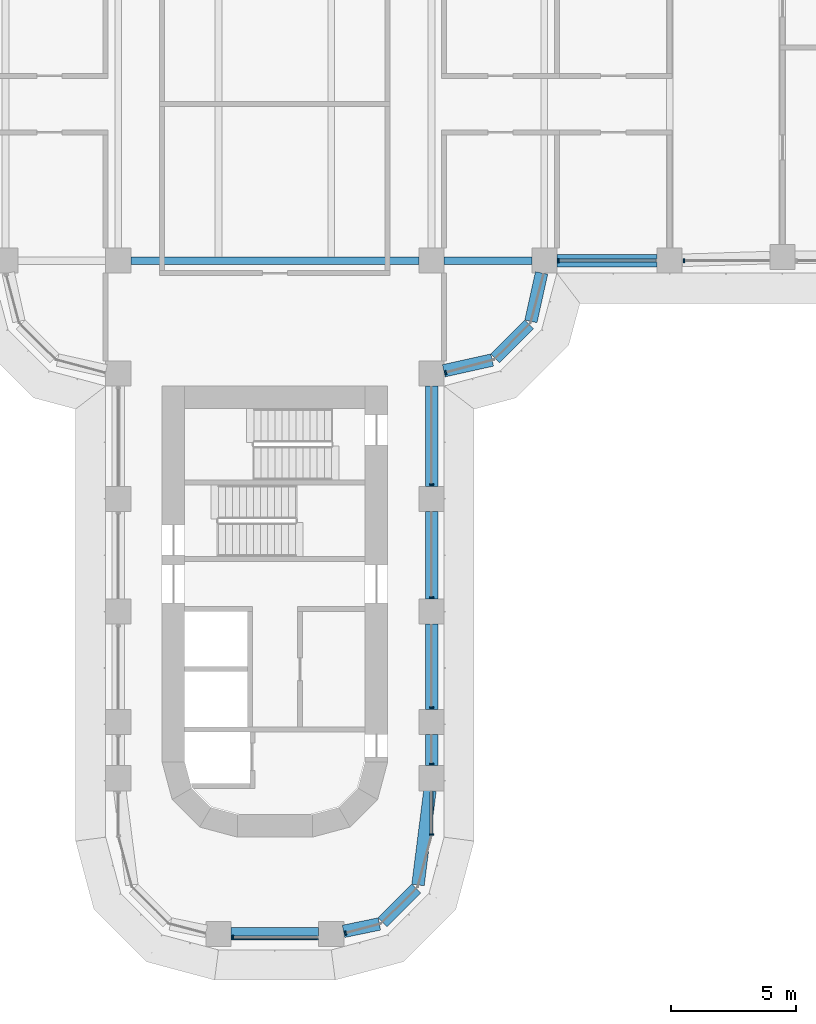
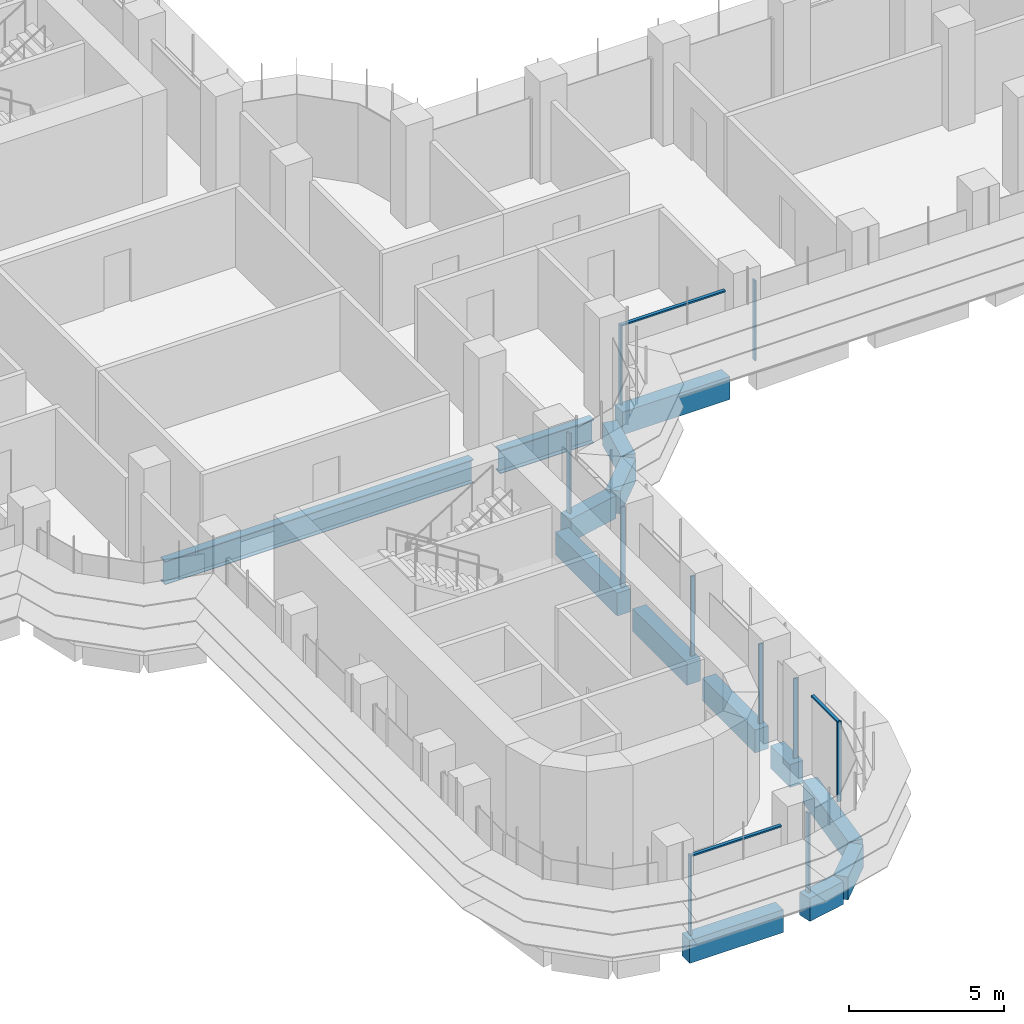
# One storey, part 4 of 23: 14 beams, 13 members, 5 elements without a shape of their own.
"""IFC4 building model written with IfcOpenShell, lengths in metres."""

from ifc_helpers import new_model, si_unit, direction, frame, origin, origin_2d, place, context, subcontext, project, spatial, polyline, rectangle, i_section, outline, extrude, source, transform, mapped, material, material_profile, profile_set, type_object, element, aggregate, save


model = new_model("IFC4")

# Units and contexts
model_context = context("Model", 3, precision=1e-05, world=origin(), true_north=direction((0.0, 1.0)))
body_context = subcontext(model_context, "Body", "Model", "MODEL_VIEW")
ifc_project = project(units=[si_unit("LENGTHUNIT", "METRE"), si_unit("AREAUNIT", "SQUARE_METRE"), si_unit("VOLUMEUNIT", "CUBIC_METRE"), si_unit("PLANEANGLEUNIT", "RADIAN"), si_unit("MASSUNIT", "GRAM", prefix="KILO")], contexts=[model_context])

# Site, building, storey
site_placement = place(None, origin())
site = spatial("IfcSite", under=ifc_project, at=site_placement, CompositionType="ELEMENT")
building_placement = place(site_placement, origin())
building = spatial("IfcBuilding", under=site, at=building_placement, Name="Zarbagh Exchange Tower", CompositionType="ELEMENT")
storey_placement = place(building_placement, frame((0.0, 0.0, 48.0)))
storey = spatial("IfcBuildingStorey", under=building, at=storey_placement, Name="L10", CompositionType="ELEMENT", Elevation=48.0)

# Beams
ifc_material_1 = material(Name="Steel ASTM A992 Gr 50", Category="steel")
ifc_material_profile_1 = material_profile(ifc_material_1, i_section(OverallWidth=0.3046875, OverallDepth=0.91943359375, WebThickness=0.017333984375, FlangeThickness=0.02783203125, at=origin_2d()), Name="W36X170")
ifc_profile_set_1 = profile_set([ifc_material_profile_1], Name="Steel ASTM A992 Gr 50")
beam_type_1 = type_object("IfcBeamType", Name="Floor girder W36X170", PredefinedType="BEAM", material=ifc_profile_set_1)
beam_1_placement = place(storey_placement, frame((-5.75, -6.25, -0.609619140625), z_axis=(1.0, 0.0, 0.0), x_axis=(0.0, 1.0, 0.0)))
element("IfcBeam", 1, at=beam_1_placement, inside=storey, type_object=beam_type_1, Name="Steel girder", PredefinedType="BEAM", context=body_context, shape_type="SweptSolid", body=[
    extrude(i_section(OverallWidth=0.3046875, OverallDepth=0.91943359375, WebThickness=0.017333984375, FlangeThickness=0.02783203125, at=origin_2d()), origin(), (0.0, 0.0, 1.0), 11.5),
])
beam_2_placement = place(storey_placement, frame((6.75, -6.25, -0.609619140625), z_axis=(1.0, 0.0, 0.0), x_axis=(0.0, 1.0, 0.0)))
element("IfcBeam", 2, at=beam_2_placement, inside=storey, type_object=beam_type_1, Name="Steel girder", PredefinedType="BEAM", context=body_context, shape_type="SweptSolid", body=[
    extrude(i_section(OverallWidth=0.3046875, OverallDepth=0.91943359375, WebThickness=0.017333984375, FlangeThickness=0.02783203125, at=origin_2d()), origin(), (0.0, 0.0, 1.0), 3.5),
])
ifc_material_2 = material(Name="Concrete C60/75", Category="concrete")
ifc_material_profile_2 = material_profile(ifc_material_2, rectangle(XDim=0.5, YDim=0.89990234375, at=origin_2d()), Name="RC spandrel beam 500 x 900 C60/75")
ifc_profile_set_2 = profile_set([ifc_material_profile_2], Name="Concrete C60/75")
beam_type_2 = type_object("IfcBeamType", Name="RC spandrel beam 500 x 900 C60/75", PredefinedType="SPANDREL", material=ifc_profile_set_2)
beam_3_placement = place(storey_placement, frame((15.25, -6.25, -0.60009765625), z_axis=(-1.0, 0.0, 0.0), x_axis=(0.0, -1.0, 0.0)))
element("IfcBeam", 3, at=beam_3_placement, inside=storey, type_object=beam_type_2, Name="RC spandrel beam", PredefinedType="SPANDREL", context=body_context, shape_type="SweptSolid", body=[
    extrude(rectangle(XDim=0.5, YDim=0.89990234375, at=origin_2d()), origin(), (0.0, 0.0, 1.0), 4.0),
])
beam_4_placement = place(storey_placement, frame((10.64208984375, -6.73828125, -0.60009765625), z_axis=(-0.216081063242, -0.976375426825, 0.0), x_axis=(0.976375426825, -0.216081063242, 0.0)))
element("IfcBeam", 4, at=beam_4_placement, inside=storey, type_object=beam_type_2, Name="RC spandrel beam", PredefinedType="SPANDREL", context=body_context, shape_type="SweptSolid", body=[
    extrude(rectangle(XDim=0.5, YDim=0.89990234375, at=origin_2d()), origin(), (0.0, 0.0, 1.0), 1.978271484375),
])
beam_5_placement = place(storey_placement, frame((10.147216796875, -8.792724609375, -0.60009765625), z_axis=(-0.707106781187, -0.707106781187, 0.0), x_axis=(0.707106781187, -0.707106781187, 0.0)))
element("IfcBeam", 5, at=beam_5_placement, inside=storey, type_object=beam_type_2, Name="RC spandrel beam", PredefinedType="SPANDREL", context=body_context, shape_type="SweptSolid", body=[
    extrude(rectangle(XDim=0.5, YDim=0.89990234375, at=origin_2d()), origin(), (0.0, 0.0, 1.0), 1.91552734375),
])
beam_6_placement = place(storey_placement, frame((8.669921875, -10.214599609375, -0.60009765625), z_axis=(-0.976375426825, -0.216081063242, 0.0), x_axis=(0.216081063242, -0.976375426825, 0.0)))
element("IfcBeam", 6, at=beam_6_placement, inside=storey, type_object=beam_type_2, Name="RC spandrel beam", PredefinedType="SPANDREL", context=body_context, shape_type="SweptSolid", body=[
    extrude(rectangle(XDim=0.5, YDim=0.89990234375, at=origin_2d()), origin(), (0.0, 0.0, 1.0), 1.978271484375),
])
beam_7_placement = place(storey_placement, frame((6.25, -11.25, -0.60009765625), z_axis=(0.0, -1.0, 0.0), x_axis=(1.0, 0.0, 0.0)))
element("IfcBeam", 7, at=beam_7_placement, inside=storey, type_object=beam_type_2, Name="RC spandrel beam", PredefinedType="SPANDREL", context=body_context, shape_type="SweptSolid", body=[
    extrude(rectangle(XDim=0.5, YDim=0.89990234375, at=origin_2d()), origin(), (0.0, 0.0, 1.0), 4.0),
])
beam_8_placement = place(storey_placement, frame((6.25, -16.25, -0.60009765625), z_axis=(0.0, -1.0, 0.0), x_axis=(1.0, 0.0, 0.0)))
element("IfcBeam", 8, at=beam_8_placement, inside=storey, type_object=beam_type_2, Name="RC spandrel beam", PredefinedType="SPANDREL", context=body_context, shape_type="SweptSolid", body=[
    extrude(rectangle(XDim=0.5, YDim=0.89990234375, at=origin_2d()), origin(), (0.0, 0.0, 1.0), 3.5),
])
beam_9_placement = place(storey_placement, frame((6.25, -20.75, -0.60009765625), z_axis=(0.0, -1.0, 0.0), x_axis=(1.0, 0.0, 0.0)))
element("IfcBeam", 9, at=beam_9_placement, inside=storey, type_object=beam_type_2, Name="RC spandrel beam", PredefinedType="SPANDREL", context=body_context, shape_type="SweptSolid", body=[
    extrude(rectangle(XDim=0.5, YDim=0.89990234375, at=origin_2d()), origin(), (0.0, 0.0, 1.0), 3.39990234375),
])
beam_10_placement = place(storey_placement, frame((6.25, -25.14990234375, -0.60009765625), z_axis=(0.0, -1.0, 0.0), x_axis=(1.0, 0.0, 0.0)))
element("IfcBeam", 10, at=beam_10_placement, inside=storey, type_object=beam_type_2, Name="RC spandrel beam", PredefinedType="SPANDREL", context=body_context, shape_type="SweptSolid", body=[
    extrude(rectangle(XDim=0.5, YDim=0.89990234375, at=origin_2d()), origin(), (0.0, 0.0, 1.0), 1.25),
])
beam_11_placement = place(storey_placement, frame((6.18701171875, -27.39599609375, -0.60009765625), z_axis=(-0.12591317752, -0.992041265133, 0.0), x_axis=(0.992041265133, -0.12591317752, 0.0)))
element("IfcBeam", 11, at=beam_11_placement, inside=storey, type_object=beam_type_2, Name="RC spandrel beam", PredefinedType="SPANDREL", context=body_context, shape_type="SweptSolid", body=[
    extrude(rectangle(XDim=0.5, YDim=0.89990234375, at=origin_2d()), origin(), (0.0, 0.0, 1.0), 3.790771484375),
])
beam_12_placement = place(storey_placement, frame((5.638427734375, -31.301513671875, -0.60009765625), z_axis=(-0.707042571718, -0.707170984825, 0.0), x_axis=(0.707170984825, -0.707042571718, 0.0)))
element("IfcBeam", 12, at=beam_12_placement, inside=storey, type_object=beam_type_2, Name="RC spandrel beam", PredefinedType="SPANDREL", context=body_context, shape_type="SweptSolid", body=[
    extrude(rectangle(XDim=0.5, YDim=0.89990234375, at=origin_2d()), origin(), (0.0, 0.0, 1.0), 1.901123046875),
])
beam_13_placement = place(storey_placement, frame((4.16796875, -32.714111328125, -0.60009765625), z_axis=(-0.9793713725, -0.202068589164, 0.0), x_axis=(0.202068589164, -0.9793713725, 0.0)))
element("IfcBeam", 13, at=beam_13_placement, inside=storey, type_object=beam_type_2, Name="RC spandrel beam", PredefinedType="SPANDREL", context=body_context, shape_type="SweptSolid", body=[
    extrude(rectangle(XDim=0.5, YDim=0.89990234375, at=origin_2d()), origin(), (0.0, 0.0, 1.0), 1.458251953125),
])
beam_14_placement = place(storey_placement, frame((1.75, -33.110107421875, -0.60009765625), z_axis=(-1.0, 0.0, 0.0), x_axis=(0.0, -1.0, 0.0)))
element("IfcBeam", 14, at=beam_14_placement, inside=storey, type_object=beam_type_2, Name="RC spandrel beam", PredefinedType="SPANDREL", context=body_context, shape_type="SweptSolid", body=[
    extrude(rectangle(XDim=0.5, YDim=0.89990234375, at=origin_2d()), origin(), (0.0, 0.0, 1.0), 3.5),
])

# Curtain wall, member
ifc_material_3 = material(Name="Anodised aluminium frame and glazing", Category="aluminium")
curtain_wall_type = type_object("IfcCurtainWallType", Name="CWA Ribbon glazing, lower zones", PredefinedType="NOTDEFINED", material=ifc_material_3)
curtain_wall_1_placement = place(storey_placement, origin())
curtain_wall_1 = element("IfcCurtainWall", 15, at=curtain_wall_1_placement, inside=storey, type_object=curtain_wall_type, Name="CWA01 curtain wall", PredefinedType="NOTDEFINED")
ifc_material_4 = material(Name="Anodised aluminium frame", Category="aluminium")
member_type_1 = type_object("IfcMemberType", Name="MUA Mullion, anodised aluminium frame", PredefinedType="MULLION", material=ifc_material_4)
shared_shape_1 = source(origin(), body_context, "Body", "SweptSolid", [
    extrude(outline(polyline([(0.0, -0.080078125), (0.06005859375, -0.080078125), (0.06005859375, 0.080078125), (0.0, 0.080078125), (0.0, -0.080078125)])), origin(), (0.0, 0.0, 1.0), 3.14990234375),
])
placement = place(storey_placement, origin())
member_1 = element("IfcMember", 16, at=placement, type_object=member_type_1, Name="CWA01 mullion 1.1", PredefinedType="MULLION", context=body_context, shape_type="MappedRepresentation", body=[
    mapped(shared_shape_1, transform((2.7900390625, -33.087646484375, 0.0), x_axis=(0.965924289636, 0.258824779902, 0.0), y_axis=(-0.258824779902, 0.965924289636, 0.0), z_axis=(0.0, 0.0, 1.0))),
])
aggregate(curtain_wall_1, [member_1])

# Curtain wall, members
curtain_wall_2_placement = place(storey_placement, origin())
curtain_wall_2 = element("IfcCurtainWall", 17, at=curtain_wall_2_placement, inside=storey, type_object=curtain_wall_type, Name="CWA04 curtain wall", PredefinedType="NOTDEFINED")
member_2 = element("IfcMember", 18, at=placement, type_object=member_type_1, Name="CWA04 mullion 1.1", PredefinedType="MULLION", context=body_context, shape_type="MappedRepresentation", body=[
    mapped(shared_shape_1, transform((6.25, -29.18408203125, 0.0), x_axis=(0.0, 1.0, 0.0), y_axis=(-1.0, 0.0, 0.0), z_axis=(0.0, 0.0, 1.0))),
])
member_3 = element("IfcMember", 19, at=placement, type_object=member_type_1, Name="CWA04 mullion 2.1", PredefinedType="MULLION", context=body_context, shape_type="MappedRepresentation", body=[
    mapped(shared_shape_1, transform((6.25, -26.35986328125, 0.0), x_axis=(0.0, 1.0, 0.0), y_axis=(-1.0, 0.0, 0.0), z_axis=(0.0, 0.0, 1.0))),
])
member_4 = element("IfcMember", 20, at=placement, type_object=member_type_1, Name="CWA04 mullion 3.1", PredefinedType="MULLION", context=body_context, shape_type="MappedRepresentation", body=[
    mapped(shared_shape_1, transform((6.25, -24.10986328125, 0.0), x_axis=(0.0, 1.0, 0.0), y_axis=(-1.0, 0.0, 0.0), z_axis=(0.0, 0.0, 1.0))),
])
member_5 = element("IfcMember", 21, at=placement, type_object=member_type_1, Name="CWA04 mullion 4.1", PredefinedType="MULLION", context=body_context, shape_type="MappedRepresentation", body=[
    mapped(shared_shape_1, transform((6.25, -19.7099609375, 0.0), x_axis=(0.0, 1.0, 0.0), y_axis=(-1.0, 0.0, 0.0), z_axis=(0.0, 0.0, 1.0))),
])
member_6 = element("IfcMember", 22, at=placement, type_object=member_type_1, Name="CWA04 mullion 5.1", PredefinedType="MULLION", context=body_context, shape_type="MappedRepresentation", body=[
    mapped(shared_shape_1, transform((6.25, -15.2099609375, 0.0), x_axis=(0.0, 1.0, 0.0), y_axis=(-1.0, 0.0, 0.0), z_axis=(0.0, 0.0, 1.0))),
])

# Curtain wall, member
curtain_wall_3_placement = place(storey_placement, origin())
curtain_wall_3 = element("IfcCurtainWall", 23, at=curtain_wall_3_placement, inside=storey, type_object=curtain_wall_type, Name="CWA05 curtain wall", PredefinedType="NOTDEFINED")
member_7 = element("IfcMember", 24, at=placement, type_object=member_type_1, Name="CWA05 mullion 1.1", PredefinedType="MULLION", context=body_context, shape_type="MappedRepresentation", body=[
    mapped(shared_shape_1, transform((6.7900390625, -10.7216796875, 0.0), x_axis=(0.965924289636, 0.258824779902, 0.0), y_axis=(-0.258824779902, 0.965924289636, 0.0), z_axis=(0.0, 0.0, 1.0))),
])
aggregate(curtain_wall_3, [member_7])

# Curtain wall, members
curtain_wall_4_placement = place(storey_placement, origin())
curtain_wall_4 = element("IfcCurtainWall", 25, at=curtain_wall_4_placement, inside=storey, type_object=curtain_wall_type, Name="CWA08 curtain wall", PredefinedType="NOTDEFINED")
member_8 = element("IfcMember", 26, at=placement, type_object=member_type_1, Name="CWA08 mullion 1.1", PredefinedType="MULLION", context=body_context, shape_type="MappedRepresentation", body=[
    mapped(shared_shape_1, transform((11.2900390625, -6.25, 0.0), x_axis=(1.0, 0.0, 0.0), y_axis=(0.0, 1.0, 0.0), z_axis=(0.0, 0.0, 1.0))),
])
member_9 = element("IfcMember", 27, at=placement, type_object=member_type_1, Name="CWA08 mullion 2.1", PredefinedType="MULLION", context=body_context, shape_type="MappedRepresentation", body=[
    mapped(shared_shape_1, transform((16.2900390625, -6.25, 0.0), x_axis=(1.0, 0.0, 0.0), y_axis=(0.0, 1.0, 0.0), z_axis=(0.0, 0.0, 1.0))),
])

# Curtain wall, member
curtain_wall_5_placement = place(storey_placement, origin())
curtain_wall_5 = element("IfcCurtainWall", 28, at=curtain_wall_5_placement, inside=storey, type_object=curtain_wall_type, Name="CWA48 curtain wall", PredefinedType="NOTDEFINED")
member_10 = element("IfcMember", 29, at=placement, type_object=member_type_1, Name="CWA48 mullion 1.1", PredefinedType="MULLION", context=body_context, shape_type="MappedRepresentation", body=[
    mapped(shared_shape_1, transform((-1.7099609375, -33.25, 0.0), x_axis=(1.0, 0.0, 0.0), y_axis=(0.0, 1.0, 0.0), z_axis=(0.0, 0.0, 1.0))),
])

# Member
member_type_2 = type_object("IfcMemberType", Name="TRA Transom, anodised aluminium frame", PredefinedType="USERDEFINED", material=ifc_material_4)
shared_shape_2 = source(origin(), body_context, "Body", "SweptSolid", [
    extrude(outline(polyline([(-0.06005859375, -0.06005859375), (0.0, -0.06005859375), (0.0, 0.06005859375), (-0.06005859375, 0.06005859375), (-0.06005859375, -0.06005859375)])), origin(), (0.0, 0.0, 1.0), 1.68408203125),
])
member_11 = element("IfcMember", 30, at=placement, type_object=member_type_2, Name="CWA04 transom 1.1", ObjectType="TRANSOM", PredefinedType="USERDEFINED", context=body_context, shape_type="MappedRepresentation", body=[
    mapped(shared_shape_2, transform((6.25, -29.124267578125, 3.14990234375), x_axis=(0.0, 0.0, 1.0), y_axis=(1.0, 0.0, 0.0), z_axis=(0.0, 1.0, 0.0))),
])

aggregate(curtain_wall_2, [member_2, member_11, member_3, member_4, member_5, member_6])

shared_shape_3 = source(origin(), body_context, "Body", "SweptSolid", [
    extrude(outline(polyline([(-0.06005859375, -0.06005859375), (0.0, -0.06005859375), (0.0, 0.06005859375), (-0.06005859375, 0.06005859375), (-0.06005859375, -0.06005859375)])), origin(), (0.0, 0.0, 1.0), 3.860107421875),
])
member_12 = element("IfcMember", 31, at=placement, type_object=member_type_2, Name="CWA08 transom 1.1", ObjectType="TRANSOM", PredefinedType="USERDEFINED", context=body_context, shape_type="MappedRepresentation", body=[
    mapped(shared_shape_3, transform((11.35009765625, -6.25, 3.14990234375), x_axis=(0.0, 0.0, 1.0), y_axis=(0.0, -1.0, 0.0), z_axis=(1.0, 0.0, 0.0))),
])

aggregate(curtain_wall_4, [member_8, member_12, member_9])

shared_shape_4 = source(origin(), body_context, "Body", "SweptSolid", [
    extrude(outline(polyline([(-0.06005859375, -0.06005859375), (0.0, -0.06005859375), (0.0, 0.06005859375), (-0.06005859375, 0.06005859375), (-0.06005859375, -0.06005859375)])), origin(), (0.0, 0.0, 1.0), 3.360107421875),
])
member_13 = element("IfcMember", 32, at=placement, type_object=member_type_2, Name="CWA48 transom 1.1", ObjectType="TRANSOM", PredefinedType="USERDEFINED", context=body_context, shape_type="MappedRepresentation", body=[
    mapped(shared_shape_4, transform((-1.64990234375, -33.25, 3.14990234375), x_axis=(0.0, 0.0, 1.0), y_axis=(0.0, -1.0, 0.0), z_axis=(1.0, 0.0, 0.0))),
])

aggregate(curtain_wall_5, [member_10, member_13])

save(model, "model.ifc")
